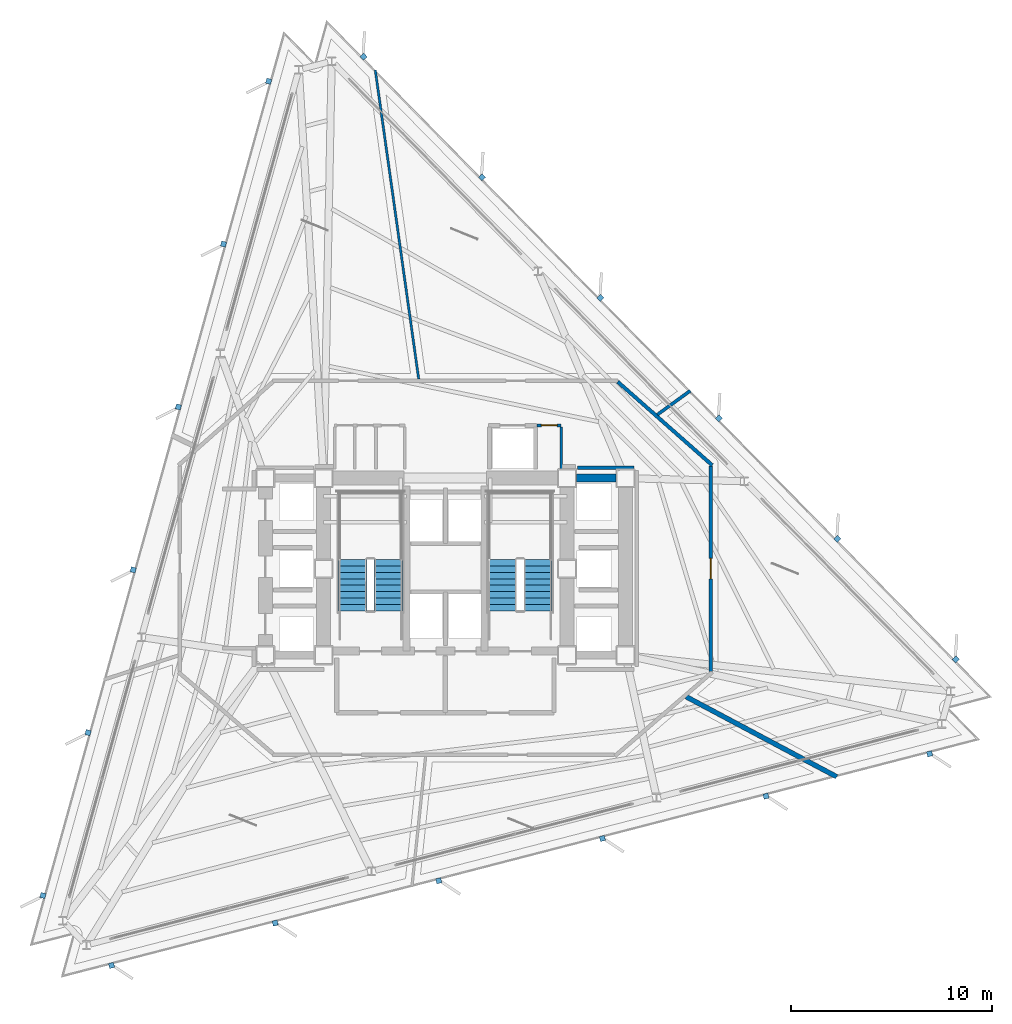
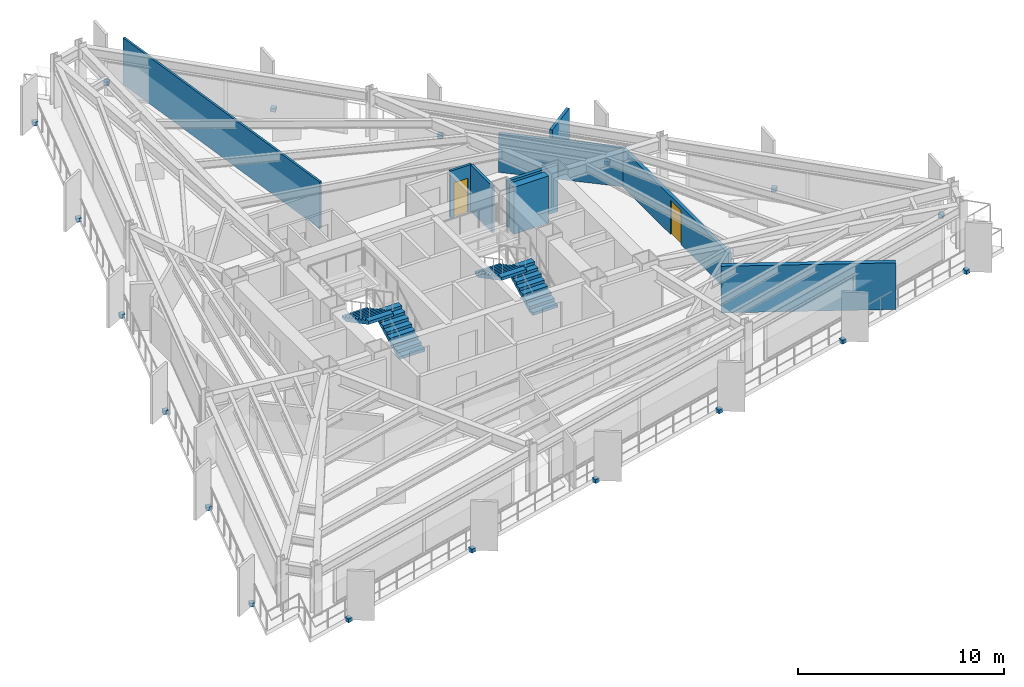
# One storey, part 8 of 11: 18 discrete accessories, 9 walls, 4 stair flights, 2 doors, 2 openings, 2 elements without a shape of their own.
"""IFC4 building model written with IfcOpenShell, lengths in metres."""

from ifc_helpers import new_model, si_unit, direction, frame, frame_2d, origin, origin_2d, place, context, subcontext, project, spatial, polyline, rectangle, outline, extrude, material, layer, layer_set, type_object, element, fill, aggregate, save


model = new_model("IFC4")

# Units and contexts
model_context = context("Model", 3, precision=1e-05, world=origin(), true_north=direction((0.0, 1.0)))
body_context = subcontext(model_context, "Body", "Model", "MODEL_VIEW")
ifc_project = project(units=[si_unit("LENGTHUNIT", "METRE"), si_unit("AREAUNIT", "SQUARE_METRE"), si_unit("VOLUMEUNIT", "CUBIC_METRE"), si_unit("PLANEANGLEUNIT", "RADIAN"), si_unit("MASSUNIT", "GRAM", prefix="KILO")], contexts=[model_context])

# Site, building, storey
site_placement = place(None, origin())
site = spatial("IfcSite", under=ifc_project, at=site_placement, CompositionType="ELEMENT")
building_placement = place(site_placement, origin())
building = spatial("IfcBuilding", under=site, at=building_placement, Name="Rocaltana Carrier Exchange", CompositionType="ELEMENT")
storey_placement = place(building_placement, frame((0.0, 0.0, 88.639892578125)))
storey = spatial("IfcBuildingStorey", under=building, at=storey_placement, Name="L27", CompositionType="ELEMENT", Elevation=88.639892578125)

# Walls
ifc_material_1 = material(Name="Double Acoustic Gypsum Partition", Category="gypsum")
ifc_layer_1 = layer(ifc_material_1, 0.159912109375)
ifc_layer_set_1 = layer_set([ifc_layer_1], Name="Double Acoustic Gypsum Partition")
wall_type_1 = type_object("IfcWallType", Name="Acoustic Studio Partition 160 EI60", PredefinedType="PARTITIONING", material=ifc_layer_set_1)
wall_1_placement = place(storey_placement, frame((10.53857421875, 7.65673828125, 0.0), z_axis=(0.0, 0.0, 1.0), x_axis=(0.809038430179, 0.587755747308, 0.0)))
element("IfcWall", 1, at=wall_1_placement, inside=storey, type_object=wall_type_1, Name="L27 Suite Divider Wall D4", PredefinedType="PARTITIONING", context=body_context, shape_type="SweptSolid", body=[
    extrude(rectangle(XDim=2.024658203125, YDim=0.159912109375, at=frame_2d((1.01220703125, 0.0))), origin(), (0.0, 0.0, 1.0), 2.76318359375),
])
ifc_material_2 = material(Name="Concrete C50/60", Category="concrete")
ifc_layer_2 = layer(ifc_material_2, 0.39990234375)
ifc_layer_set_2 = layer_set([ifc_layer_2], Name="Concrete C50/60")
wall_type_2 = type_object("IfcWallType", Name="Core Internal Shear Wall 400", PredefinedType="SHEAR", material=ifc_layer_set_2)
wall_2_placement = place(storey_placement, frame((6.52490234375, 4.5, 0.0), z_axis=(0.0, 0.0, 1.0), x_axis=(1.0, 0.0, 0.0)))
element("IfcWall", 2, at=wall_2_placement, inside=storey, type_object=wall_type_2, Name="L27 Core Shear Wall CW-EWN", PredefinedType="SHEAR", context=body_context, shape_type="SweptSolid", body=[
    extrude(rectangle(XDim=1.9501953125, YDim=0.39990234375, at=frame_2d((0.97509765625, 0.0))), origin(), (0.0, 0.0, 1.0), 2.7880859375),
])
ifc_material_3 = material(Name="Gypsum & Steel Stud Partition", Category="steel")
ifc_layer_3 = layer(ifc_material_3, 0.179931640625)
ifc_layer_set_3 = layer_set([ifc_layer_3], Name="Gypsum & Steel Stud Partition")
wall_type_3 = type_object("IfcWallType", Name="Corridor Fire Partition 180 EI60", PredefinedType="PARTITIONING", material=ifc_layer_set_3)
wall_3_placement = place(storey_placement, frame((8.5673828125, 9.290283203125, 0.0), z_axis=(0.0, 0.0, 1.0), x_axis=(0.749626463267, -0.66186113768, 0.0)))
element("IfcWall", 3, at=wall_3_placement, inside=storey, type_object=wall_type_3, Name="L27 Corridor Partition 2", PredefinedType="PARTITIONING", context=body_context, shape_type="SweptSolid", body=[
    extrude(rectangle(XDim=6.27001953125, YDim=0.179931640625, at=frame_2d((3.135009765625, 0.0))), origin(), (0.0, 0.0, 1.0), 2.277099609375),
])

# Wall, opening, door
wall_4_placement = place(storey_placement, frame((13.199951171875, 5.110107421875, 0.0), z_axis=(0.0, 0.0, 1.0), x_axis=(0.0, -1.0, 0.0)))
wall_4 = element("IfcWall", 4, at=wall_4_placement, inside=storey, type_object=wall_type_3, Name="L27 Corridor Partition 3", PredefinedType="PARTITIONING", context=body_context, shape_type="SweptSolid", body=[
    extrude(rectangle(XDim=10.22021484375, YDim=0.179931640625, at=frame_2d((5.110107421875, 0.0))), origin(), (0.0, 0.0, 1.0), 2.277099609375),
])
opening_1_placement = place(wall_4_placement, frame((4.60009765625, 0.0, 0.0)))
opening_1 = element("IfcOpeningElement", 5, at=opening_1_placement, cuts=wall_4, Name="Opening D-LB104", PredefinedType="OPENING", context=body_context, shape_type="SweptSolid", body=[
    extrude(rectangle(XDim=1.02001953125, YDim=2.02001953125, at=frame_2d((0.510009765625, 1.010009765625))), frame((0.0, 0.099853515625, 0.0), z_axis=(0.0, -1.0, 0.0), x_axis=(1.0, 0.0, 0.0)), (0.0, 0.0, 1.0), 0.199951171875),
])
ifc_material_4 = material(Name="Powder-Coated Aluminium 6063-T6", Category="aluminium")
door_type_1 = type_object("IfcDoorType", Name="Laboratory Acoustic Door 1020x2020", OperationType="NOTDEFINED", PredefinedType="DOOR", material=ifc_material_4)
door_1_placement = place(opening_1_placement, origin())
door_1 = element("IfcDoor", 6, at=door_1_placement, inside=storey, type_object=door_type_1, Name="L27 Optical Switching Laboratory Entrance Door", OperationType="SINGLE_SWING_LEFT", OverallHeight=2.02001953125, OverallWidth=1.02001953125, PredefinedType="DOOR", context=body_context, shape_type="SweptSolid", body=[
    extrude(rectangle(XDim=1.02001953125, YDim=2.02001953125, at=frame_2d((0.510009765625, 1.010009765625))), frame((0.0, 0.02490234375, 0.0), z_axis=(0.0, -1.0, 0.0), x_axis=(1.0, 0.0, 0.0)), (0.0, 0.0, 1.0), 0.050048828125),
])
fill(opening_1, door_1)

# Walls
wall_5_placement = place(storey_placement, frame((9.3701171875, 5.010009765625, 0.0), z_axis=(0.0, 0.0, 1.0), x_axis=(-1.0, 0.0, 0.0)))
element("IfcWall", 7, at=wall_5_placement, inside=storey, type_object=wall_type_3, Name="L27 Corridor Partition 18", PredefinedType="PARTITIONING", context=body_context, shape_type="SweptSolid", body=[
    extrude(rectangle(XDim=2.807861328125, YDim=0.179931640625, at=frame_2d((1.40380859375, 0.0))), origin(), (0.0, 0.0, 1.0), 2.76318359375),
])
ifc_material_5 = material(Name="Aluminium 6063-T6 & Acoustic Glass", Category="aluminium")
ifc_layer_4 = layer(ifc_material_5, 0.114990234375)
ifc_layer_set_4 = layer_set([ifc_layer_4], Name="Aluminium 6063-T6 & Acoustic Glass")
wall_type_4 = type_object("IfcWallType", Name="Demountable Glazed Lab Partition 115", PredefinedType="MOVABLE", material=ifc_layer_set_4)
wall_6_placement = place(storey_placement, frame((-1.3251953125, 9.429931640625, 0.0), z_axis=(0.0, 0.0, 1.0), x_axis=(-0.139183166437, 0.990266654079, 0.0)))
element("IfcWall", 8, at=wall_6_placement, inside=storey, type_object=wall_type_4, Name="L27 Suite Divider Wall D5", PredefinedType="MOVABLE", context=body_context, shape_type="SweptSolid", body=[
    extrude(rectangle(XDim=15.502685546875, YDim=0.114990234375, at=frame_2d((7.75146484375, 0.0))), origin(), (0.0, 0.0, 1.0), 2.76318359375),
])
ifc_material_6 = material(Name="Acoustic Calcium Silicate Partition", Category="gypsum")
ifc_layer_5 = layer(ifc_material_6, 0.239990234375)
ifc_layer_set_5 = layer_set([ifc_layer_5], Name="Acoustic Calcium Silicate Partition")
wall_type_5 = type_object("IfcWallType", Name="Heavy Lab Partition 240 EI90", PredefinedType="PARTITIONING", material=ifc_layer_set_5)
wall_7_placement = place(storey_placement, frame((11.970703125, -6.364990234375, 0.0), z_axis=(0.0, 0.0, 1.0), x_axis=(0.882953434006, -0.469460577021, 0.0)))
element("IfcWall", 9, at=wall_7_placement, inside=storey, type_object=wall_type_5, Name="L27 Suite Divider Wall D3", PredefinedType="PARTITIONING", context=body_context, shape_type="SweptSolid", body=[
    extrude(rectangle(XDim=8.4755859375, YDim=0.239990234375, at=frame_2d((4.23779296875, 0.0))), origin(), (0.0, 0.0, 1.0), 2.76318359375),
])
ifc_material_7 = material(Name="Moisture-Resistant Masonry C30/37", Category="masonry")
ifc_layer_6 = layer(ifc_material_7, 0.139892578125)
ifc_layer_set_6 = layer_set([ifc_layer_6], Name="Moisture-Resistant Masonry C30/37")
wall_type_6 = type_object("IfcWallType", Name="Wet-Area Sanitary Partition 140", PredefinedType="PARTITIONING", material=ifc_layer_set_6)
wall_8_placement = place(storey_placement, frame((5.760009765625, 4.949951171875, 0.0), z_axis=(0.0, 0.0, 1.0), x_axis=(0.0, 1.0, 0.0)))
element("IfcWall", 10, at=wall_8_placement, inside=storey, type_object=wall_type_6, Name="L27 Riser East Wall", PredefinedType="PARTITIONING", context=body_context, shape_type="SweptSolid", body=[
    extrude(rectangle(XDim=2.10009765625, YDim=0.139892578125, at=frame_2d((1.050048828125, 0.0))), origin(), (0.0, 0.0, 1.0), 2.76318359375),
])

# Wall, opening, door
wall_9_placement = place(storey_placement, frame((4.56005859375, 7.1201171875, 0.0), z_axis=(0.0, 0.0, 1.0), x_axis=(1.0, 0.0, 0.0)))
wall_9 = element("IfcWall", 11, at=wall_9_placement, inside=storey, type_object=wall_type_6, Name="L27 Riser North Wall", PredefinedType="PARTITIONING", context=body_context, shape_type="SweptSolid", body=[
    extrude(rectangle(XDim=1.199951171875, YDim=0.139892578125, at=frame_2d((0.60009765625, 0.0))), origin(), (0.0, 0.0, 1.0), 2.76318359375),
])
opening_2_placement = place(wall_9_placement, frame((0.2099609375, 0.0, 0.0)))
opening_2 = element("IfcOpeningElement", 12, at=opening_2_placement, cuts=wall_9, Name="Opening D-RS082", PredefinedType="OPENING", context=body_context, shape_type="SweptSolid", body=[
    extrude(rectangle(XDim=0.780029296875, YDim=2.010009765625, at=frame_2d((0.39013671875, 1.0048828125))), frame((0.0, 0.079833984375, 0.0), z_axis=(0.0, -1.0, 0.0), x_axis=(1.0, 0.0, 0.0)), (0.0, 0.0, 1.0), 0.159912109375),
])
ifc_material_8 = material(Name="Hollow Metal Access Door Leaf", Category="steel")
door_type_2 = type_object("IfcDoorType", Name="Riser & Service Closet Door 780x2010", OperationType="NOTDEFINED", PredefinedType="DOOR", material=ifc_material_8)
door_2_placement = place(opening_2_placement, origin())
door_2 = element("IfcDoor", 13, at=door_2_placement, inside=storey, type_object=door_type_2, Name="L27 Signal Riser Closet Door", OperationType="SINGLE_SWING_LEFT", OverallHeight=2.010009765625, OverallWidth=0.780029296875, PredefinedType="DOOR", context=body_context, shape_type="SweptSolid", body=[
    extrude(rectangle(XDim=0.780029296875, YDim=2.010009765625, at=frame_2d((0.39013671875, 1.0048828125))), frame((0.0, 0.02490234375, 0.0), z_axis=(0.0, -1.0, 0.0), x_axis=(1.0, 0.0, 0.0)), (0.0, 0.0, 1.0), 0.050048828125),
])
fill(opening_2, door_2)

# Stair, stair flights
ifc_material_9 = material(Name="Precast concrete C45/55", Category="concrete")
stair_type = type_object("IfcStairType", Name="Standard Dog-Leg Stair 160", PredefinedType="HALF_TURN_STAIR", material=ifc_material_9)
stair_1_placement = place(storey_placement, origin())
stair_1 = element("IfcStair", 14, at=stair_1_placement, inside=storey, type_object=stair_type, Name="L27 Core West Exit Stair ST-1", PredefinedType="HALF_TURN_STAIR")
ifc_material_10 = material(Name="Precast concrete C45/55", Category="concrete")
stair_flight_type = type_object("IfcStairFlightType", Name="Precast Stair Flight 160", PredefinedType="STRAIGHT", material=ifc_material_10)
stair_flight_1_placement = place(storey_placement, frame((-2.840087890625, -2.10009765625, 0.0), z_axis=(0.0, 0.0, 1.0), x_axis=(0.0, 1.0, 0.0)))
stair_flight_1 = element("IfcStairFlight", 15, at=stair_flight_1_placement, type_object=stair_flight_type, Name="ST-1 flight 1", NumberOfRisers=9, NumberOfTreads=8, PredefinedType="STRAIGHT", RiserHeight=0.168888889, TreadLength=0.32, context=body_context, shape_type="SweptSolid", body=[
    extrude(outline(polyline([(0.0, 0.0), (0.0, 0.1689453125), (0.320068359375, 0.1689453125), (0.320068359375, 0.337890625), (0.639892578125, 0.337890625), (0.639892578125, 0.506591796875), (0.9599609375, 0.506591796875), (0.9599609375, 0.675537109375), (1.280029296875, 0.675537109375), (1.280029296875, 0.844482421875), (1.60009765625, 0.844482421875), (1.60009765625, 1.013427734375), (1.919921875, 1.013427734375), (1.919921875, 1.18212890625), (2.239990234375, 1.18212890625), (2.239990234375, 1.35107421875), (2.56005859375, 1.35107421875), (2.56005859375, 1.52001953125), (2.56005859375, 1.17041015625), (0.342529296875, 0.0), (0.0, 0.0)])), frame((0.0, 0.699951171875, 0.0), z_axis=(0.0, -1.0, 0.0), x_axis=(1.0, 0.0, 0.0)), (0.0, 0.0, 1.0), 1.39990234375),
])
stair_flight_2_placement = place(storey_placement, frame((-4.60009765625, 0.4599609375, 1.52001953125), z_axis=(0.0, 0.0, 1.0), x_axis=(0.0, -1.0, 0.0)))
stair_flight_2 = element("IfcStairFlight", 16, at=stair_flight_2_placement, type_object=stair_flight_type, Name="ST-1 flight 2", NumberOfRisers=9, NumberOfTreads=8, PredefinedType="STRAIGHT", RiserHeight=0.168888889, TreadLength=0.32, context=body_context, shape_type="SweptSolid", body=[
    extrude(outline(polyline([(0.0, 0.0), (0.0, 0.1689453125), (0.320068359375, 0.1689453125), (0.320068359375, 0.337890625), (0.639892578125, 0.337890625), (0.639892578125, 0.506591796875), (0.9599609375, 0.506591796875), (0.9599609375, 0.675537109375), (1.280029296875, 0.675537109375), (1.280029296875, 0.844482421875), (1.60009765625, 0.844482421875), (1.60009765625, 1.013427734375), (1.919921875, 1.013427734375), (1.919921875, 1.18212890625), (2.239990234375, 1.18212890625), (2.239990234375, 1.35107421875), (2.56005859375, 1.35107421875), (2.56005859375, 1.52001953125), (2.56005859375, 1.17041015625), (0.342529296875, 0.0), (0.0, 0.0)])), frame((0.0, 0.699951171875, 0.0), z_axis=(0.0, -1.0, 0.0), x_axis=(1.0, 0.0, 0.0)), (0.0, 0.0, 1.0), 1.39990234375),
])
aggregate(stair_1, [stair_flight_1, stair_flight_2])

stair_2_placement = place(storey_placement, origin())
stair_2 = element("IfcStair", 17, at=stair_2_placement, inside=storey, type_object=stair_type, Name="L27 Core East Exit Stair ST-2", PredefinedType="HALF_TURN_STAIR")
stair_flight_3_placement = place(storey_placement, frame((4.60009765625, -2.10009765625, 0.0), z_axis=(0.0, 0.0, 1.0), x_axis=(0.0, 1.0, 0.0)))
stair_flight_3 = element("IfcStairFlight", 18, at=stair_flight_3_placement, type_object=stair_flight_type, Name="ST-2 flight 1", NumberOfRisers=9, NumberOfTreads=8, PredefinedType="STRAIGHT", RiserHeight=0.168888889, TreadLength=0.32, context=body_context, shape_type="SweptSolid", body=[
    extrude(outline(polyline([(0.0, 0.0), (0.0, 0.1689453125), (0.320068359375, 0.1689453125), (0.320068359375, 0.337890625), (0.639892578125, 0.337890625), (0.639892578125, 0.506591796875), (0.9599609375, 0.506591796875), (0.9599609375, 0.675537109375), (1.280029296875, 0.675537109375), (1.280029296875, 0.844482421875), (1.60009765625, 0.844482421875), (1.60009765625, 1.013427734375), (1.919921875, 1.013427734375), (1.919921875, 1.18212890625), (2.239990234375, 1.18212890625), (2.239990234375, 1.35107421875), (2.56005859375, 1.35107421875), (2.56005859375, 1.52001953125), (2.56005859375, 1.17041015625), (0.342529296875, 0.0), (0.0, 0.0)])), frame((0.0, 0.699951171875, 0.0), z_axis=(0.0, -1.0, 0.0), x_axis=(1.0, 0.0, 0.0)), (0.0, 0.0, 1.0), 1.39990234375),
])
stair_flight_4_placement = place(storey_placement, frame((2.840087890625, 0.4599609375, 1.52001953125), z_axis=(0.0, 0.0, 1.0), x_axis=(0.0, -1.0, 0.0)))
stair_flight_4 = element("IfcStairFlight", 19, at=stair_flight_4_placement, type_object=stair_flight_type, Name="ST-2 flight 2", NumberOfRisers=9, NumberOfTreads=8, PredefinedType="STRAIGHT", RiserHeight=0.168888889, TreadLength=0.32, context=body_context, shape_type="SweptSolid", body=[
    extrude(outline(polyline([(0.0, 0.0), (0.0, 0.1689453125), (0.320068359375, 0.1689453125), (0.320068359375, 0.337890625), (0.639892578125, 0.337890625), (0.639892578125, 0.506591796875), (0.9599609375, 0.506591796875), (0.9599609375, 0.675537109375), (1.280029296875, 0.675537109375), (1.280029296875, 0.844482421875), (1.60009765625, 0.844482421875), (1.60009765625, 1.013427734375), (1.919921875, 1.013427734375), (1.919921875, 1.18212890625), (2.239990234375, 1.18212890625), (2.239990234375, 1.35107421875), (2.56005859375, 1.35107421875), (2.56005859375, 1.52001953125), (2.56005859375, 1.17041015625), (0.342529296875, 0.0), (0.0, 0.0)])), frame((0.0, 0.699951171875, 0.0), z_axis=(0.0, -1.0, 0.0), x_axis=(1.0, 0.0, 0.0)), (0.0, 0.0, 1.0), 1.39990234375),
])
aggregate(stair_2, [stair_flight_3, stair_flight_4])

# Discrete accessories
ifc_material_11 = material(Name="Brushed Architectural Stainless Metal", Category="steel")
ifc_layer_7 = layer(ifc_material_11, 0.219970703125)
ifc_layer_set_7 = layer_set([ifc_layer_7], Name="Brushed Architectural Stainless Metal")
discrete_accessory_type = type_object("IfcDiscreteAccessoryType", Name="Stainless Fin Slab-Edge Bracket 260x260x220", PredefinedType="BRACKET", material=ifc_layer_set_7)
for number, where, z_axis, x_axis, name in (
    (20, (25.371826171875, -4.509765625, -0.2099609375), (0.0, 0.0, 1.0), (-0.7009092643, 0.713250449154, 0.0), "L27 Sandstone Fin Edge Bracket F1-01"),
    (21, (19.484375, 1.481689453125, -0.2099609375), (0.0, 0.0, 1.0), (-0.7009092643, 0.713250449154, 0.0), "L27 Sandstone Fin Edge Bracket F1-02"),
    (22, (13.5966796875, 7.472900390625, -0.2099609375), (0.0, 0.0, 1.0), (-0.7009092643, 0.713250449154, 0.0), "L27 Sandstone Fin Edge Bracket F1-03"),
    (23, (7.708984375, 13.464111328125, -0.2099609375), (0.0, 0.0, 1.0), (-0.7009092643, 0.713250449154, 0.0), "L27 Sandstone Fin Edge Bracket F1-04"),
    (24, (1.8212890625, 19.45556640625, -0.2099609375), (0.0, 0.0, 1.0), (-0.7009092643, 0.713250449154, 0.0), "L27 Sandstone Fin Edge Bracket F1-05"),
    (25, (-4.066162109375, 25.44677734375, -0.2099609375), (0.0, 0.0, 1.0), (-0.7009092643, 0.713250449154, 0.0), "L27 Sandstone Fin Edge Bracket F1-06"),
    (26, (-8.780517578125, 24.2275390625, -0.2099609375), (0.0, 0.0, 1.0), (-0.267238376078, -0.963630453209, 0.0), "L27 Sandstone Fin Edge Bracket F2-01"),
    (27, (-11.025146484375, 16.133056640625, -0.2099609375), (0.0, 0.0, 1.0), (-0.267238376078, -0.963630453209, 0.0), "L27 Sandstone Fin Edge Bracket F2-02"),
    (28, (-13.27001953125, 8.03857421875, -0.2099609375), (0.0, 0.0, 1.0), (-0.267238376078, -0.963630453209, 0.0), "L27 Sandstone Fin Edge Bracket F2-03"),
    (29, (-15.514892578125, -0.055908203125, -0.2099609375), (0.0, 0.0, 1.0), (-0.267238376078, -0.963630453209, 0.0), "L27 Sandstone Fin Edge Bracket F2-04"),
    (30, (-17.759521484375, -8.150390625, -0.2099609375), (0.0, 0.0, 1.0), (-0.267238376078, -0.963630453209, 0.0), "L27 Sandstone Fin Edge Bracket F2-05"),
    (31, (-20.00439453125, -16.244873046875, -0.2099609375), (0.0, 0.0, 1.0), (-0.267238376078, -0.963630453209, 0.0), "L27 Sandstone Fin Edge Bracket F2-06"),
    (32, (-16.591552734375, -19.718017578125, -0.2099609375), (0.0, 0.0, 1.0), (0.968147640378, 0.250380004054, 0.0), "L27 Sandstone Fin Edge Bracket F3-01"),
    (33, (-8.458984375, -17.61474609375, -0.2099609375), (0.0, 0.0, 1.0), (0.968147640378, 0.250380004054, 0.0), "L27 Sandstone Fin Edge Bracket F3-02"),
    (34, (-0.32666015625, -15.511474609375, -0.2099609375), (0.0, 0.0, 1.0), (0.968147640378, 0.250380004054, 0.0), "L27 Sandstone Fin Edge Bracket F3-03"),
    (35, (7.805908203125, -13.408203125, -0.2099609375), (0.0, 0.0, 1.0), (0.968147640378, 0.250380004054, 0.0), "L27 Sandstone Fin Edge Bracket F3-04"),
    (36, (15.938232421875, -11.30517578125, -0.2099609375), (0.0, 0.0, 1.0), (0.968147640378, 0.250380004054, 0.0), "L27 Sandstone Fin Edge Bracket F3-05"),
    (37, (24.07080078125, -9.201904296875, -0.2099609375), (0.0, 0.0, 1.0), (0.968147640378, 0.250380004054, 0.0), "L27 Sandstone Fin Edge Bracket F3-06"),
):
    element("IfcDiscreteAccessory", number, at=place(storey_placement, frame(where, z_axis=z_axis, x_axis=x_axis)), inside=storey, type_object=discrete_accessory_type, Name=name, PredefinedType="BRACKET", context=body_context, shape_type="SweptSolid", body=[
        extrude(rectangle(XDim=0.260009765625, YDim=0.260009765625, at=origin_2d()), origin(), (0.0, 0.0, 1.0), 0.219970703125),
    ])

save(model, "model.ifc")
